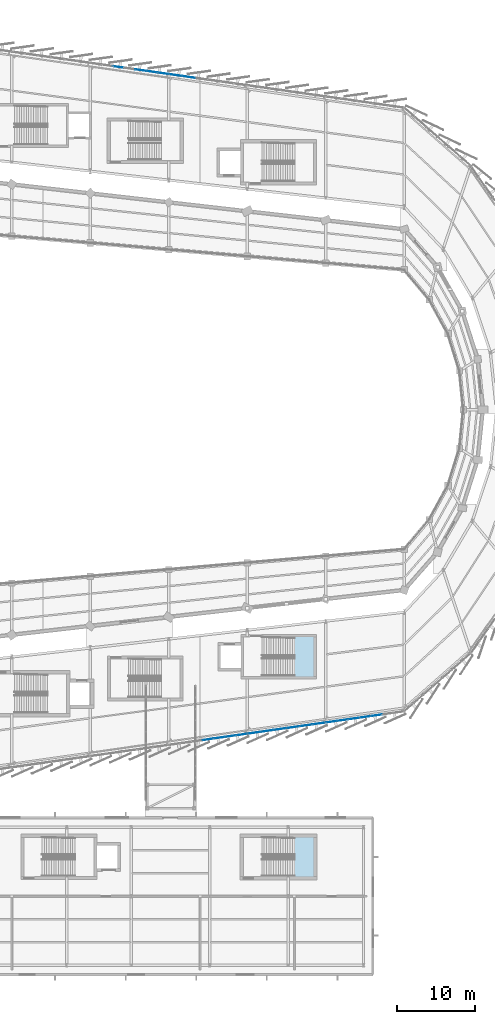
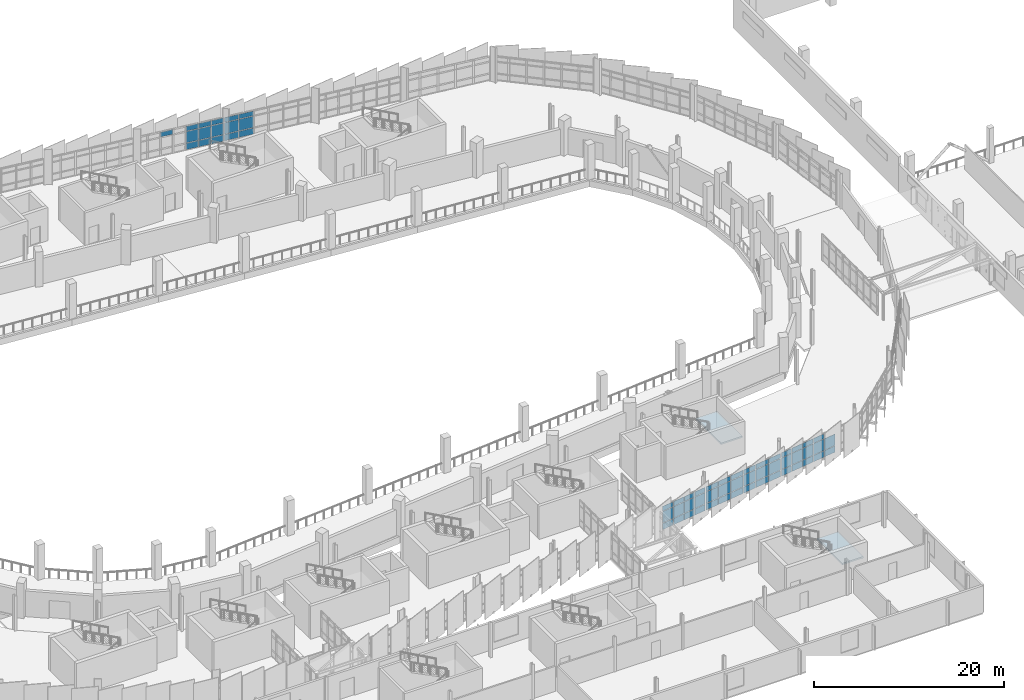
# One storey, part 92 of 125: 60 plates, 2 slabs, 7 elements without a shape of their own.
"""IFC4 building model written with IfcOpenShell, lengths in metres."""

from ifc_helpers import new_model, si_unit, direction, frame, origin, origin_2d, place, context, subcontext, project, spatial, polyline, rectangle, outline, extrude, material, layer, layer_set, type_object, element, aggregate, save


model = new_model("IFC4")

# Units and contexts
model_context = context("Model", 3, precision=1e-05, world=origin(), true_north=direction((0.0, 1.0)))
body_context = subcontext(model_context, "Body", "Model", "MODEL_VIEW")
ifc_project = project(units=[si_unit("LENGTHUNIT", "METRE"), si_unit("AREAUNIT", "SQUARE_METRE"), si_unit("VOLUMEUNIT", "CUBIC_METRE"), si_unit("PLANEANGLEUNIT", "RADIAN"), si_unit("MASSUNIT", "GRAM", prefix="KILO")], contexts=[model_context])

# Site, building, storey
site_placement = place(None, origin())
site = spatial("IfcSite", under=ifc_project, at=site_placement, CompositionType="ELEMENT")
building_placement = place(site_placement, origin())
building = spatial("IfcBuilding", under=site, at=building_placement, Name="Sohan Crest Arena", CompositionType="ELEMENT")
storey_placement = place(building_placement, frame((0.0, 0.0, 9.0)))
storey = spatial("IfcBuildingStorey", under=building, at=storey_placement, Name="L02", CompositionType="ELEMENT", Elevation=9.0)

# Curtain wall, plates
ifc_material_1 = material(Name="Thermally broken anodised aluminium", Category="aluminium")
ifc_layer_1 = layer(ifc_material_1, 0.18994140625, Name="Thermally broken anodised aluminium")
ifc_layer_set_1 = layer_set([ifc_layer_1], Name="Thermally broken anodised aluminium")
curtain_wall_type_1 = type_object("IfcCurtainWallType", Name="ARC-CW05", PredefinedType="NOTDEFINED", material=ifc_layer_set_1)
curtain_wall_1_placement = place(storey_placement, origin())
curtain_wall_1 = element("IfcCurtainWall", 1, at=curtain_wall_1_placement, inside=storey, type_object=curtain_wall_type_1, Name="Unitised curtain wall CW-064", PredefinedType="NOTDEFINED")
ifc_material_2 = material(Name="Low-E double-glazed insulated glass", Category="glass")
ifc_layer_2 = layer(ifc_material_2, 0.028076171875, Name="Low-E double-glazed insulated glass")
ifc_layer_set_2 = layer_set([ifc_layer_2], Name="Low-E double-glazed insulated glass")
plate_type_1 = type_object("IfcPlateType", Name="ARC-CNP01", PredefinedType="CURTAIN_PANEL", material=ifc_layer_set_2)
plate_1_placement = place(storey_placement, frame((143.0, 35.978515625, 0.06494140625), z_axis=(0.0, 0.0, 1.0), x_axis=(0.989943553128, 0.141462933734, 0.0)))
plate_1 = element("IfcPlate", 2, at=plate_1_placement, type_object=plate_type_1, Name="CW-064 panel 4.1", PredefinedType="CURTAIN_PANEL", context=body_context, shape_type="SweptSolid", body=[
    extrude(rectangle(XDim=1.383056640625, YDim=0.028076171875, at=origin_2d()), origin(), (0.0, 0.0, 1.0), 0.802490234375),
])
plate_2_placement = place(storey_placement, frame((143.0, 35.978515625, 0.932373046875), z_axis=(0.0, 0.0, 1.0), x_axis=(0.989943553128, 0.141462933734, 0.0)))
plate_2 = element("IfcPlate", 3, at=plate_2_placement, type_object=plate_type_1, Name="CW-064 panel 4.2", PredefinedType="CURTAIN_PANEL", context=body_context, shape_type="SweptSolid", body=[
    extrude(rectangle(XDim=1.383056640625, YDim=0.028076171875, at=origin_2d()), origin(), (0.0, 0.0, 1.0), 1.455078125),
])
plate_3_placement = place(storey_placement, frame((143.0, 35.978515625, 2.452392578125), z_axis=(0.0, 0.0, 1.0), x_axis=(0.989943553128, 0.141462933734, 0.0)))
plate_3 = element("IfcPlate", 4, at=plate_3_placement, type_object=plate_type_1, Name="CW-064 panel 4.3", PredefinedType="CURTAIN_PANEL", context=body_context, shape_type="SweptSolid", body=[
    extrude(rectangle(XDim=1.383056640625, YDim=0.028076171875, at=origin_2d()), origin(), (0.0, 0.0, 1.0), 0.6025390625),
])
plate_4_placement = place(storey_placement, frame((144.428466796875, 36.1826171875, 0.06494140625), z_axis=(0.0, 0.0, 1.0), x_axis=(0.989943553128, 0.141462933734, 0.0)))
plate_4 = element("IfcPlate", 5, at=plate_4_placement, type_object=plate_type_1, Name="CW-064 panel 5.1", PredefinedType="CURTAIN_PANEL", context=body_context, shape_type="SweptSolid", body=[
    extrude(rectangle(XDim=1.383056640625, YDim=0.028076171875, at=origin_2d()), origin(), (0.0, 0.0, 1.0), 0.802490234375),
])
plate_5_placement = place(storey_placement, frame((144.428466796875, 36.1826171875, 0.932373046875), z_axis=(0.0, 0.0, 1.0), x_axis=(0.989943553128, 0.141462933734, 0.0)))
plate_5 = element("IfcPlate", 6, at=plate_5_placement, type_object=plate_type_1, Name="CW-064 panel 5.2", PredefinedType="CURTAIN_PANEL", context=body_context, shape_type="SweptSolid", body=[
    extrude(rectangle(XDim=1.383056640625, YDim=0.028076171875, at=origin_2d()), origin(), (0.0, 0.0, 1.0), 1.455078125),
])
plate_6_placement = place(storey_placement, frame((144.428466796875, 36.1826171875, 2.452392578125), z_axis=(0.0, 0.0, 1.0), x_axis=(0.989943553128, 0.141462933734, 0.0)))
plate_6 = element("IfcPlate", 7, at=plate_6_placement, type_object=plate_type_1, Name="CW-064 panel 5.3", PredefinedType="CURTAIN_PANEL", context=body_context, shape_type="SweptSolid", body=[
    extrude(rectangle(XDim=1.383056640625, YDim=0.028076171875, at=origin_2d()), origin(), (0.0, 0.0, 1.0), 0.6025390625),
])
plate_7_placement = place(storey_placement, frame((145.857177734375, 36.38671875, 0.06494140625), z_axis=(0.0, 0.0, 1.0), x_axis=(0.989943553128, 0.141462933734, 0.0)))
plate_7 = element("IfcPlate", 8, at=plate_7_placement, type_object=plate_type_1, Name="CW-064 panel 6.1", PredefinedType="CURTAIN_PANEL", context=body_context, shape_type="SweptSolid", body=[
    extrude(rectangle(XDim=1.383056640625, YDim=0.028076171875, at=origin_2d()), origin(), (0.0, 0.0, 1.0), 0.802490234375),
])
plate_8_placement = place(storey_placement, frame((145.857177734375, 36.38671875, 0.932373046875), z_axis=(0.0, 0.0, 1.0), x_axis=(0.989943553128, 0.141462933734, 0.0)))
plate_8 = element("IfcPlate", 9, at=plate_8_placement, type_object=plate_type_1, Name="CW-064 panel 6.2", PredefinedType="CURTAIN_PANEL", context=body_context, shape_type="SweptSolid", body=[
    extrude(rectangle(XDim=1.383056640625, YDim=0.028076171875, at=origin_2d()), origin(), (0.0, 0.0, 1.0), 1.455078125),
])
plate_9_placement = place(storey_placement, frame((145.857177734375, 36.38671875, 2.452392578125), z_axis=(0.0, 0.0, 1.0), x_axis=(0.989943553128, 0.141462933734, 0.0)))
plate_9 = element("IfcPlate", 10, at=plate_9_placement, type_object=plate_type_1, Name="CW-064 panel 6.3", PredefinedType="CURTAIN_PANEL", context=body_context, shape_type="SweptSolid", body=[
    extrude(rectangle(XDim=1.383056640625, YDim=0.028076171875, at=origin_2d()), origin(), (0.0, 0.0, 1.0), 0.6025390625),
])
plate_10_placement = place(storey_placement, frame((147.270751953125, 36.5888671875, 0.06494140625), z_axis=(0.0, 0.0, 1.0), x_axis=(0.989943553128, 0.141462933734, 0.0)))
plate_10 = element("IfcPlate", 11, at=plate_10_placement, type_object=plate_type_1, Name="CW-064 panel 7.1", PredefinedType="CURTAIN_PANEL", context=body_context, shape_type="SweptSolid", body=[
    extrude(rectangle(XDim=1.35302734375, YDim=0.028076171875, at=origin_2d()), origin(), (0.0, 0.0, 1.0), 0.802490234375),
])
plate_11_placement = place(storey_placement, frame((147.270751953125, 36.5888671875, 0.932373046875), z_axis=(0.0, 0.0, 1.0), x_axis=(0.989943553128, 0.141462933734, 0.0)))
plate_11 = element("IfcPlate", 12, at=plate_11_placement, type_object=plate_type_1, Name="CW-064 panel 7.2", PredefinedType="CURTAIN_PANEL", context=body_context, shape_type="SweptSolid", body=[
    extrude(rectangle(XDim=1.35302734375, YDim=0.028076171875, at=origin_2d()), origin(), (0.0, 0.0, 1.0), 1.455078125),
])
plate_12_placement = place(storey_placement, frame((147.270751953125, 36.5888671875, 2.452392578125), z_axis=(0.0, 0.0, 1.0), x_axis=(0.989943553128, 0.141462933734, 0.0)))
plate_12 = element("IfcPlate", 13, at=plate_12_placement, type_object=plate_type_1, Name="CW-064 panel 7.3", PredefinedType="CURTAIN_PANEL", context=body_context, shape_type="SweptSolid", body=[
    extrude(rectangle(XDim=1.35302734375, YDim=0.028076171875, at=origin_2d()), origin(), (0.0, 0.0, 1.0), 0.6025390625),
])
aggregate(curtain_wall_1, [plate_1, plate_2, plate_3, plate_4, plate_5, plate_6, plate_7, plate_8, plate_9, plate_10, plate_11, plate_12])

ifc_layer_3 = layer(ifc_material_1, 0.2099609375, Name="Thermally broken anodised aluminium")
ifc_layer_set_3 = layer_set([ifc_layer_3], Name="Thermally broken anodised aluminium")
curtain_wall_type_2 = type_object("IfcCurtainWallType", Name="ARC-CW06", PredefinedType="NOTDEFINED", material=ifc_layer_set_3)
curtain_wall_2_placement = place(storey_placement, origin())
curtain_wall_2 = element("IfcCurtainWall", 14, at=curtain_wall_2_placement, inside=storey, type_object=curtain_wall_type_2, Name="Unitised curtain wall CW-065", PredefinedType="NOTDEFINED")
ifc_layer_4 = layer(ifc_material_2, 0.031982421875, Name="Low-E double-glazed insulated glass")
ifc_layer_set_4 = layer_set([ifc_layer_4], Name="Low-E double-glazed insulated glass")
plate_type_2 = type_object("IfcPlateType", Name="ARC-CNP02", PredefinedType="CURTAIN_PANEL", material=ifc_layer_set_4)
plate_13_placement = place(storey_placement, frame((148.849365234375, 36.814208984375, 0.070068359375), z_axis=(0.0, 0.0, 1.0), x_axis=(0.989957411768, 0.141365918403, 0.0)))
plate_13 = element("IfcPlate", 15, at=plate_13_placement, type_object=plate_type_2, Name="CW-065 panel 1.1", PredefinedType="CURTAIN_PANEL", context=body_context, shape_type="SweptSolid", body=[
    extrude(rectangle(XDim=1.586181640625, YDim=0.031982421875, at=origin_2d()), origin(), (0.0, 0.0, 1.0), 0.794921875),
])
plate_14_placement = place(storey_placement, frame((148.849365234375, 36.814208984375, 0.93505859375), z_axis=(0.0, 0.0, 1.0), x_axis=(0.989957411768, 0.141365918403, 0.0)))
plate_14 = element("IfcPlate", 16, at=plate_14_placement, type_object=plate_type_2, Name="CW-065 panel 1.2", PredefinedType="CURTAIN_PANEL", context=body_context, shape_type="SweptSolid", body=[
    extrude(rectangle(XDim=1.586181640625, YDim=0.031982421875, at=origin_2d()), origin(), (0.0, 0.0, 1.0), 1.449951171875),
])
plate_15_placement = place(storey_placement, frame((148.849365234375, 36.814208984375, 2.455078125), z_axis=(0.0, 0.0, 1.0), x_axis=(0.989957411768, 0.141365918403, 0.0)))
plate_15 = element("IfcPlate", 17, at=plate_15_placement, type_object=plate_type_2, Name="CW-065 panel 1.3", PredefinedType="CURTAIN_PANEL", context=body_context, shape_type="SweptSolid", body=[
    extrude(rectangle(XDim=1.586181640625, YDim=0.031982421875, at=origin_2d()), origin(), (0.0, 0.0, 1.0), 0.594970703125),
])
plate_16_placement = place(storey_placement, frame((150.5, 37.050048828125, 0.070068359375), z_axis=(0.0, 0.0, 1.0), x_axis=(0.989957411768, 0.141365918403, 0.0)))
plate_16 = element("IfcPlate", 18, at=plate_16_placement, type_object=plate_type_2, Name="CW-065 panel 2.1", PredefinedType="CURTAIN_PANEL", context=body_context, shape_type="SweptSolid", body=[
    extrude(rectangle(XDim=1.61865234375, YDim=0.031982421875, at=origin_2d()), origin(), (0.0, 0.0, 1.0), 0.794921875),
])
plate_17_placement = place(storey_placement, frame((150.5, 37.050048828125, 0.93505859375), z_axis=(0.0, 0.0, 1.0), x_axis=(0.989957411768, 0.141365918403, 0.0)))
plate_17 = element("IfcPlate", 19, at=plate_17_placement, type_object=plate_type_2, Name="CW-065 panel 2.2", PredefinedType="CURTAIN_PANEL", context=body_context, shape_type="SweptSolid", body=[
    extrude(rectangle(XDim=1.61865234375, YDim=0.031982421875, at=origin_2d()), origin(), (0.0, 0.0, 1.0), 1.449951171875),
])
plate_18_placement = place(storey_placement, frame((150.5, 37.050048828125, 2.455078125), z_axis=(0.0, 0.0, 1.0), x_axis=(0.989957411768, 0.141365918403, 0.0)))
plate_18 = element("IfcPlate", 20, at=plate_18_placement, type_object=plate_type_2, Name="CW-065 panel 2.3", PredefinedType="CURTAIN_PANEL", context=body_context, shape_type="SweptSolid", body=[
    extrude(rectangle(XDim=1.61865234375, YDim=0.031982421875, at=origin_2d()), origin(), (0.0, 0.0, 1.0), 0.594970703125),
])
plate_19_placement = place(storey_placement, frame((152.166748046875, 37.2880859375, 0.070068359375), z_axis=(0.0, 0.0, 1.0), x_axis=(0.989957411768, 0.141365918403, 0.0)))
plate_19 = element("IfcPlate", 21, at=plate_19_placement, type_object=plate_type_2, Name="CW-065 panel 3.1", PredefinedType="CURTAIN_PANEL", context=body_context, shape_type="SweptSolid", body=[
    extrude(rectangle(XDim=1.61865234375, YDim=0.031982421875, at=origin_2d()), origin(), (0.0, 0.0, 1.0), 0.794921875),
])
plate_20_placement = place(storey_placement, frame((152.166748046875, 37.2880859375, 0.93505859375), z_axis=(0.0, 0.0, 1.0), x_axis=(0.989957411768, 0.141365918403, 0.0)))
plate_20 = element("IfcPlate", 22, at=plate_20_placement, type_object=plate_type_2, Name="CW-065 panel 3.2", PredefinedType="CURTAIN_PANEL", context=body_context, shape_type="SweptSolid", body=[
    extrude(rectangle(XDim=1.61865234375, YDim=0.031982421875, at=origin_2d()), origin(), (0.0, 0.0, 1.0), 1.449951171875),
])
plate_21_placement = place(storey_placement, frame((152.166748046875, 37.2880859375, 2.455078125), z_axis=(0.0, 0.0, 1.0), x_axis=(0.989957411768, 0.141365918403, 0.0)))
plate_21 = element("IfcPlate", 23, at=plate_21_placement, type_object=plate_type_2, Name="CW-065 panel 3.3", PredefinedType="CURTAIN_PANEL", context=body_context, shape_type="SweptSolid", body=[
    extrude(rectangle(XDim=1.61865234375, YDim=0.031982421875, at=origin_2d()), origin(), (0.0, 0.0, 1.0), 0.594970703125),
])
plate_22_placement = place(storey_placement, frame((153.833251953125, 37.52587890625, 0.070068359375), z_axis=(0.0, 0.0, 1.0), x_axis=(0.989957411768, 0.141365918403, 0.0)))
plate_22 = element("IfcPlate", 24, at=plate_22_placement, type_object=plate_type_2, Name="CW-065 panel 4.1", PredefinedType="CURTAIN_PANEL", context=body_context, shape_type="SweptSolid", body=[
    extrude(rectangle(XDim=1.61865234375, YDim=0.031982421875, at=origin_2d()), origin(), (0.0, 0.0, 1.0), 0.794921875),
])
plate_23_placement = place(storey_placement, frame((153.833251953125, 37.52587890625, 0.93505859375), z_axis=(0.0, 0.0, 1.0), x_axis=(0.989957411768, 0.141365918403, 0.0)))
plate_23 = element("IfcPlate", 25, at=plate_23_placement, type_object=plate_type_2, Name="CW-065 panel 4.2", PredefinedType="CURTAIN_PANEL", context=body_context, shape_type="SweptSolid", body=[
    extrude(rectangle(XDim=1.61865234375, YDim=0.031982421875, at=origin_2d()), origin(), (0.0, 0.0, 1.0), 1.449951171875),
])
plate_24_placement = place(storey_placement, frame((153.833251953125, 37.52587890625, 2.455078125), z_axis=(0.0, 0.0, 1.0), x_axis=(0.989957411768, 0.141365918403, 0.0)))
plate_24 = element("IfcPlate", 26, at=plate_24_placement, type_object=plate_type_2, Name="CW-065 panel 4.3", PredefinedType="CURTAIN_PANEL", context=body_context, shape_type="SweptSolid", body=[
    extrude(rectangle(XDim=1.61865234375, YDim=0.031982421875, at=origin_2d()), origin(), (0.0, 0.0, 1.0), 0.594970703125),
])
plate_25_placement = place(storey_placement, frame((155.5, 37.763916015625, 0.070068359375), z_axis=(0.0, 0.0, 1.0), x_axis=(0.989957411768, 0.141365918403, 0.0)))
plate_25 = element("IfcPlate", 27, at=plate_25_placement, type_object=plate_type_2, Name="CW-065 panel 5.1", PredefinedType="CURTAIN_PANEL", context=body_context, shape_type="SweptSolid", body=[
    extrude(rectangle(XDim=1.61865234375, YDim=0.031982421875, at=origin_2d()), origin(), (0.0, 0.0, 1.0), 0.794921875),
])
plate_26_placement = place(storey_placement, frame((155.5, 37.763916015625, 0.93505859375), z_axis=(0.0, 0.0, 1.0), x_axis=(0.989957411768, 0.141365918403, 0.0)))
plate_26 = element("IfcPlate", 28, at=plate_26_placement, type_object=plate_type_2, Name="CW-065 panel 5.2", PredefinedType="CURTAIN_PANEL", context=body_context, shape_type="SweptSolid", body=[
    extrude(rectangle(XDim=1.61865234375, YDim=0.031982421875, at=origin_2d()), origin(), (0.0, 0.0, 1.0), 1.449951171875),
])
plate_27_placement = place(storey_placement, frame((155.5, 37.763916015625, 2.455078125), z_axis=(0.0, 0.0, 1.0), x_axis=(0.989957411768, 0.141365918403, 0.0)))
plate_27 = element("IfcPlate", 29, at=plate_27_placement, type_object=plate_type_2, Name="CW-065 panel 5.3", PredefinedType="CURTAIN_PANEL", context=body_context, shape_type="SweptSolid", body=[
    extrude(rectangle(XDim=1.61865234375, YDim=0.031982421875, at=origin_2d()), origin(), (0.0, 0.0, 1.0), 0.594970703125),
])
plate_28_placement = place(storey_placement, frame((157.150634765625, 37.999755859375, 0.070068359375), z_axis=(0.0, 0.0, 1.0), x_axis=(0.989957411768, 0.141365918403, 0.0)))
plate_28 = element("IfcPlate", 30, at=plate_28_placement, type_object=plate_type_2, Name="CW-065 panel 6.1", PredefinedType="CURTAIN_PANEL", context=body_context, shape_type="SweptSolid", body=[
    extrude(rectangle(XDim=1.586181640625, YDim=0.031982421875, at=origin_2d()), origin(), (0.0, 0.0, 1.0), 0.794921875),
])
plate_29_placement = place(storey_placement, frame((157.150634765625, 37.999755859375, 0.93505859375), z_axis=(0.0, 0.0, 1.0), x_axis=(0.989957411768, 0.141365918403, 0.0)))
plate_29 = element("IfcPlate", 31, at=plate_29_placement, type_object=plate_type_2, Name="CW-065 panel 6.2", PredefinedType="CURTAIN_PANEL", context=body_context, shape_type="SweptSolid", body=[
    extrude(rectangle(XDim=1.586181640625, YDim=0.031982421875, at=origin_2d()), origin(), (0.0, 0.0, 1.0), 1.449951171875),
])
plate_30_placement = place(storey_placement, frame((157.150634765625, 37.999755859375, 2.455078125), z_axis=(0.0, 0.0, 1.0), x_axis=(0.989957411768, 0.141365918403, 0.0)))
plate_30 = element("IfcPlate", 32, at=plate_30_placement, type_object=plate_type_2, Name="CW-065 panel 6.3", PredefinedType="CURTAIN_PANEL", context=body_context, shape_type="SweptSolid", body=[
    extrude(rectangle(XDim=1.586181640625, YDim=0.031982421875, at=origin_2d()), origin(), (0.0, 0.0, 1.0), 0.594970703125),
])
aggregate(curtain_wall_2, [plate_13, plate_14, plate_15, plate_16, plate_17, plate_18, plate_19, plate_20, plate_21, plate_22, plate_23, plate_24, plate_25, plate_26, plate_27, plate_28, plate_29, plate_30])

curtain_wall_3_placement = place(storey_placement, origin())
curtain_wall_3 = element("IfcCurtainWall", 33, at=curtain_wall_3_placement, inside=storey, type_object=curtain_wall_type_2, Name="Unitised curtain wall CW-075", PredefinedType="NOTDEFINED")
plate_31_placement = place(storey_placement, frame((140.5, 120.378662109375, 0.070068359375), z_axis=(0.0, 0.0, 1.0), x_axis=(-0.989943553128, 0.141462933734, 0.0)))
plate_31 = element("IfcPlate", 34, at=plate_31_placement, type_object=plate_type_2, Name="CW-075 panel 5.1", PredefinedType="CURTAIN_PANEL", context=body_context, shape_type="SweptSolid", body=[
    extrude(rectangle(XDim=1.61865234375, YDim=0.031982421875, at=origin_2d()), origin(), (0.0, 0.0, 1.0), 0.794921875),
])
plate_32_placement = place(storey_placement, frame((140.5, 120.378662109375, 0.93505859375), z_axis=(0.0, 0.0, 1.0), x_axis=(-0.989943553128, 0.141462933734, 0.0)))
plate_32 = element("IfcPlate", 35, at=plate_32_placement, type_object=plate_type_2, Name="CW-075 panel 5.2", PredefinedType="CURTAIN_PANEL", context=body_context, shape_type="SweptSolid", body=[
    extrude(rectangle(XDim=1.61865234375, YDim=0.031982421875, at=origin_2d()), origin(), (0.0, 0.0, 1.0), 1.449951171875),
])
plate_33_placement = place(storey_placement, frame((140.5, 120.378662109375, 2.455078125), z_axis=(0.0, 0.0, 1.0), x_axis=(-0.989943553128, 0.141462933734, 0.0)))
plate_33 = element("IfcPlate", 36, at=plate_33_placement, type_object=plate_type_2, Name="CW-075 panel 5.3", PredefinedType="CURTAIN_PANEL", context=body_context, shape_type="SweptSolid", body=[
    extrude(rectangle(XDim=1.61865234375, YDim=0.031982421875, at=origin_2d()), origin(), (0.0, 0.0, 1.0), 0.594970703125),
])
plate_34_placement = place(storey_placement, frame((138.849365234375, 120.614501953125, 0.070068359375), z_axis=(0.0, 0.0, 1.0), x_axis=(-0.989943553128, 0.141462933734, 0.0)))
plate_34 = element("IfcPlate", 37, at=plate_34_placement, type_object=plate_type_2, Name="CW-075 panel 6.1", PredefinedType="CURTAIN_PANEL", context=body_context, shape_type="SweptSolid", body=[
    extrude(rectangle(XDim=1.586181640625, YDim=0.031982421875, at=origin_2d()), origin(), (0.0, 0.0, 1.0), 0.794921875),
])
plate_35_placement = place(storey_placement, frame((138.849365234375, 120.614501953125, 0.93505859375), z_axis=(0.0, 0.0, 1.0), x_axis=(-0.989943553128, 0.141462933734, 0.0)))
plate_35 = element("IfcPlate", 38, at=plate_35_placement, type_object=plate_type_2, Name="CW-075 panel 6.2", PredefinedType="CURTAIN_PANEL", context=body_context, shape_type="SweptSolid", body=[
    extrude(rectangle(XDim=1.586181640625, YDim=0.031982421875, at=origin_2d()), origin(), (0.0, 0.0, 1.0), 1.449951171875),
])
plate_36_placement = place(storey_placement, frame((138.849365234375, 120.614501953125, 2.455078125), z_axis=(0.0, 0.0, 1.0), x_axis=(-0.989943553128, 0.141462933734, 0.0)))
plate_36 = element("IfcPlate", 39, at=plate_36_placement, type_object=plate_type_2, Name="CW-075 panel 6.3", PredefinedType="CURTAIN_PANEL", context=body_context, shape_type="SweptSolid", body=[
    extrude(rectangle(XDim=1.586181640625, YDim=0.031982421875, at=origin_2d()), origin(), (0.0, 0.0, 1.0), 0.594970703125),
])
aggregate(curtain_wall_3, [plate_31, plate_32, plate_33, plate_34, plate_35, plate_36])

ifc_layer_5 = layer(ifc_material_1, 0.179931640625, Name="Thermally broken anodised aluminium")
ifc_layer_set_5 = layer_set([ifc_layer_5], Name="Thermally broken anodised aluminium")
curtain_wall_type_3 = type_object("IfcCurtainWallType", Name="ARC-CW01", PredefinedType="NOTDEFINED", material=ifc_layer_set_5)
curtain_wall_4_placement = place(storey_placement, origin())
curtain_wall_4 = element("IfcCurtainWall", 40, at=curtain_wall_4_placement, inside=storey, type_object=curtain_wall_type_3, Name="Unitised curtain wall CW-066", PredefinedType="NOTDEFINED")
ifc_material_3 = material(Name="Ceramic-fritted solar-control insulated glass", Category="glass")
ifc_layer_6 = layer(ifc_material_3, 0.035888671875, Name="Ceramic-fritted solar-control insulated glass")
ifc_layer_set_6 = layer_set([ifc_layer_6], Name="Ceramic-fritted solar-control insulated glass")
plate_type_3 = type_object("IfcPlateType", Name="ARC-CNP03", PredefinedType="CURTAIN_PANEL", material=ifc_layer_set_6)
plate_37_placement = place(storey_placement, frame((158.731689453125, 38.2255859375, 0.06005859375), z_axis=(0.0, 0.0, 1.0), x_axis=(0.989943553128, 0.141462933734, 0.0)))
plate_37 = element("IfcPlate", 41, at=plate_37_placement, type_object=plate_type_3, Name="CW-066 panel 1.1", PredefinedType="CURTAIN_PANEL", context=body_context, shape_type="SweptSolid", body=[
    extrude(rectangle(XDim=1.338134765625, YDim=0.035888671875, at=origin_2d()), origin(), (0.0, 0.0, 1.0), 0.81005859375),
])
plate_38_placement = place(storey_placement, frame((158.731689453125, 38.2255859375, 0.929931640625), z_axis=(0.0, 0.0, 1.0), x_axis=(0.989943553128, 0.141462933734, 0.0)))
plate_38 = element("IfcPlate", 42, at=plate_38_placement, type_object=plate_type_3, Name="CW-066 panel 1.2", PredefinedType="CURTAIN_PANEL", context=body_context, shape_type="SweptSolid", body=[
    extrude(rectangle(XDim=1.338134765625, YDim=0.035888671875, at=origin_2d()), origin(), (0.0, 0.0, 1.0), 1.4599609375),
])
plate_39_placement = place(storey_placement, frame((158.731689453125, 38.2255859375, 2.44970703125), z_axis=(0.0, 0.0, 1.0), x_axis=(0.989943553128, 0.141462933734, 0.0)))
plate_39 = element("IfcPlate", 43, at=plate_39_placement, type_object=plate_type_3, Name="CW-066 panel 1.3", PredefinedType="CURTAIN_PANEL", context=body_context, shape_type="SweptSolid", body=[
    extrude(rectangle(XDim=1.338134765625, YDim=0.035888671875, at=origin_2d()), origin(), (0.0, 0.0, 1.0), 0.610107421875),
])
plate_40_placement = place(storey_placement, frame((160.142822265625, 38.42724609375, 0.06005859375), z_axis=(0.0, 0.0, 1.0), x_axis=(0.989943553128, 0.141462933734, 0.0)))
plate_40 = element("IfcPlate", 44, at=plate_40_placement, type_object=plate_type_3, Name="CW-066 panel 2.1", PredefinedType="CURTAIN_PANEL", context=body_context, shape_type="SweptSolid", body=[
    extrude(rectangle(XDim=1.373046875, YDim=0.035888671875, at=origin_2d()), origin(), (0.0, 0.0, 1.0), 0.81005859375),
])
plate_41_placement = place(storey_placement, frame((160.142822265625, 38.42724609375, 0.929931640625), z_axis=(0.0, 0.0, 1.0), x_axis=(0.989943553128, 0.141462933734, 0.0)))
plate_41 = element("IfcPlate", 45, at=plate_41_placement, type_object=plate_type_3, Name="CW-066 panel 2.2", PredefinedType="CURTAIN_PANEL", context=body_context, shape_type="SweptSolid", body=[
    extrude(rectangle(XDim=1.373046875, YDim=0.035888671875, at=origin_2d()), origin(), (0.0, 0.0, 1.0), 1.4599609375),
])
plate_42_placement = place(storey_placement, frame((160.142822265625, 38.42724609375, 2.44970703125), z_axis=(0.0, 0.0, 1.0), x_axis=(0.989943553128, 0.141462933734, 0.0)))
plate_42 = element("IfcPlate", 46, at=plate_42_placement, type_object=plate_type_3, Name="CW-066 panel 2.3", PredefinedType="CURTAIN_PANEL", context=body_context, shape_type="SweptSolid", body=[
    extrude(rectangle(XDim=1.373046875, YDim=0.035888671875, at=origin_2d()), origin(), (0.0, 0.0, 1.0), 0.610107421875),
])
plate_43_placement = place(storey_placement, frame((161.571533203125, 38.63134765625, 0.06005859375), z_axis=(0.0, 0.0, 1.0), x_axis=(0.989943553128, 0.141462933734, 0.0)))
plate_43 = element("IfcPlate", 47, at=plate_43_placement, type_object=plate_type_3, Name="CW-066 panel 3.1", PredefinedType="CURTAIN_PANEL", context=body_context, shape_type="SweptSolid", body=[
    extrude(rectangle(XDim=1.373046875, YDim=0.035888671875, at=origin_2d()), origin(), (0.0, 0.0, 1.0), 0.81005859375),
])
plate_44_placement = place(storey_placement, frame((161.571533203125, 38.63134765625, 0.929931640625), z_axis=(0.0, 0.0, 1.0), x_axis=(0.989943553128, 0.141462933734, 0.0)))
plate_44 = element("IfcPlate", 48, at=plate_44_placement, type_object=plate_type_3, Name="CW-066 panel 3.2", PredefinedType="CURTAIN_PANEL", context=body_context, shape_type="SweptSolid", body=[
    extrude(rectangle(XDim=1.373046875, YDim=0.035888671875, at=origin_2d()), origin(), (0.0, 0.0, 1.0), 1.4599609375),
])
plate_45_placement = place(storey_placement, frame((161.571533203125, 38.63134765625, 2.44970703125), z_axis=(0.0, 0.0, 1.0), x_axis=(0.989943553128, 0.141462933734, 0.0)))
plate_45 = element("IfcPlate", 49, at=plate_45_placement, type_object=plate_type_3, Name="CW-066 panel 3.3", PredefinedType="CURTAIN_PANEL", context=body_context, shape_type="SweptSolid", body=[
    extrude(rectangle(XDim=1.373046875, YDim=0.035888671875, at=origin_2d()), origin(), (0.0, 0.0, 1.0), 0.610107421875),
])
plate_46_placement = place(storey_placement, frame((163.0, 38.83544921875, 0.06005859375), z_axis=(0.0, 0.0, 1.0), x_axis=(0.989943553128, 0.141462933734, 0.0)))
plate_46 = element("IfcPlate", 50, at=plate_46_placement, type_object=plate_type_3, Name="CW-066 panel 4.1", PredefinedType="CURTAIN_PANEL", context=body_context, shape_type="SweptSolid", body=[
    extrude(rectangle(XDim=1.373046875, YDim=0.035888671875, at=origin_2d()), origin(), (0.0, 0.0, 1.0), 0.81005859375),
])
plate_47_placement = place(storey_placement, frame((163.0, 38.83544921875, 0.929931640625), z_axis=(0.0, 0.0, 1.0), x_axis=(0.989943553128, 0.141462933734, 0.0)))
plate_47 = element("IfcPlate", 51, at=plate_47_placement, type_object=plate_type_3, Name="CW-066 panel 4.2", PredefinedType="CURTAIN_PANEL", context=body_context, shape_type="SweptSolid", body=[
    extrude(rectangle(XDim=1.373046875, YDim=0.035888671875, at=origin_2d()), origin(), (0.0, 0.0, 1.0), 1.4599609375),
])
plate_48_placement = place(storey_placement, frame((163.0, 38.83544921875, 2.44970703125), z_axis=(0.0, 0.0, 1.0), x_axis=(0.989943553128, 0.141462933734, 0.0)))
plate_48 = element("IfcPlate", 52, at=plate_48_placement, type_object=plate_type_3, Name="CW-066 panel 4.3", PredefinedType="CURTAIN_PANEL", context=body_context, shape_type="SweptSolid", body=[
    extrude(rectangle(XDim=1.373046875, YDim=0.035888671875, at=origin_2d()), origin(), (0.0, 0.0, 1.0), 0.610107421875),
])
plate_49_placement = place(storey_placement, frame((164.428466796875, 39.03955078125, 0.06005859375), z_axis=(0.0, 0.0, 1.0), x_axis=(0.989943553128, 0.141462933734, 0.0)))
plate_49 = element("IfcPlate", 53, at=plate_49_placement, type_object=plate_type_3, Name="CW-066 panel 5.1", PredefinedType="CURTAIN_PANEL", context=body_context, shape_type="SweptSolid", body=[
    extrude(rectangle(XDim=1.373046875, YDim=0.035888671875, at=origin_2d()), origin(), (0.0, 0.0, 1.0), 0.81005859375),
])
plate_50_placement = place(storey_placement, frame((164.428466796875, 39.03955078125, 0.929931640625), z_axis=(0.0, 0.0, 1.0), x_axis=(0.989943553128, 0.141462933734, 0.0)))
plate_50 = element("IfcPlate", 54, at=plate_50_placement, type_object=plate_type_3, Name="CW-066 panel 5.2", PredefinedType="CURTAIN_PANEL", context=body_context, shape_type="SweptSolid", body=[
    extrude(rectangle(XDim=1.373046875, YDim=0.035888671875, at=origin_2d()), origin(), (0.0, 0.0, 1.0), 1.4599609375),
])
aggregate(curtain_wall_4, [plate_37, plate_38, plate_39, plate_40, plate_41, plate_42, plate_43, plate_44, plate_45, plate_46, plate_47, plate_48, plate_49, plate_50])

curtain_wall_5_placement = place(storey_placement, origin())
curtain_wall_5 = element("IfcCurtainWall", 55, at=curtain_wall_5_placement, inside=storey, type_object=curtain_wall_type_3, Name="Unitised curtain wall CW-076", PredefinedType="NOTDEFINED")
plate_51_placement = place(storey_placement, frame((137.268310546875, 120.840576171875, 0.06005859375), z_axis=(0.0, 0.0, 1.0), x_axis=(-0.989957411768, 0.141365918403, 0.0)))
plate_51 = element("IfcPlate", 56, at=plate_51_placement, type_object=plate_type_3, Name="CW-076 panel 1.1", PredefinedType="CURTAIN_PANEL", context=body_context, shape_type="SweptSolid", body=[
    extrude(rectangle(XDim=1.338134765625, YDim=0.035888671875, at=origin_2d()), origin(), (0.0, 0.0, 1.0), 0.81005859375),
])
plate_52_placement = place(storey_placement, frame((137.268310546875, 120.840576171875, 0.929931640625), z_axis=(0.0, 0.0, 1.0), x_axis=(-0.989957411768, 0.141365918403, 0.0)))
plate_52 = element("IfcPlate", 57, at=plate_52_placement, type_object=plate_type_3, Name="CW-076 panel 1.2", PredefinedType="CURTAIN_PANEL", context=body_context, shape_type="SweptSolid", body=[
    extrude(rectangle(XDim=1.338134765625, YDim=0.035888671875, at=origin_2d()), origin(), (0.0, 0.0, 1.0), 1.4599609375),
])
plate_53_placement = place(storey_placement, frame((137.268310546875, 120.840576171875, 2.44970703125), z_axis=(0.0, 0.0, 1.0), x_axis=(-0.989957411768, 0.141365918403, 0.0)))
plate_53 = element("IfcPlate", 58, at=plate_53_placement, type_object=plate_type_3, Name="CW-076 panel 1.3", PredefinedType="CURTAIN_PANEL", context=body_context, shape_type="SweptSolid", body=[
    extrude(rectangle(XDim=1.338134765625, YDim=0.035888671875, at=origin_2d()), origin(), (0.0, 0.0, 1.0), 0.610107421875),
])
plate_54_placement = place(storey_placement, frame((135.857177734375, 121.0419921875, 0.06005859375), z_axis=(0.0, 0.0, 1.0), x_axis=(-0.989957411768, 0.141365918403, 0.0)))
plate_54 = element("IfcPlate", 59, at=plate_54_placement, type_object=plate_type_3, Name="CW-076 panel 2.1", PredefinedType="CURTAIN_PANEL", context=body_context, shape_type="SweptSolid", body=[
    extrude(rectangle(XDim=1.373046875, YDim=0.035888671875, at=origin_2d()), origin(), (0.0, 0.0, 1.0), 0.81005859375),
])
plate_55_placement = place(storey_placement, frame((135.857177734375, 121.0419921875, 0.929931640625), z_axis=(0.0, 0.0, 1.0), x_axis=(-0.989957411768, 0.141365918403, 0.0)))
plate_55 = element("IfcPlate", 60, at=plate_55_placement, type_object=plate_type_3, Name="CW-076 panel 2.2", PredefinedType="CURTAIN_PANEL", context=body_context, shape_type="SweptSolid", body=[
    extrude(rectangle(XDim=1.373046875, YDim=0.035888671875, at=origin_2d()), origin(), (0.0, 0.0, 1.0), 1.4599609375),
])
plate_56_placement = place(storey_placement, frame((135.857177734375, 121.0419921875, 2.44970703125), z_axis=(0.0, 0.0, 1.0), x_axis=(-0.989957411768, 0.141365918403, 0.0)))
plate_56 = element("IfcPlate", 61, at=plate_56_placement, type_object=plate_type_3, Name="CW-076 panel 2.3", PredefinedType="CURTAIN_PANEL", context=body_context, shape_type="SweptSolid", body=[
    extrude(rectangle(XDim=1.373046875, YDim=0.035888671875, at=origin_2d()), origin(), (0.0, 0.0, 1.0), 0.610107421875),
])
plate_57_placement = place(storey_placement, frame((134.428466796875, 121.24609375, 0.06005859375), z_axis=(0.0, 0.0, 1.0), x_axis=(-0.989957411768, 0.141365918403, 0.0)))
plate_57 = element("IfcPlate", 62, at=plate_57_placement, type_object=plate_type_3, Name="CW-076 panel 3.1", PredefinedType="CURTAIN_PANEL", context=body_context, shape_type="SweptSolid", body=[
    extrude(rectangle(XDim=1.373046875, YDim=0.035888671875, at=origin_2d()), origin(), (0.0, 0.0, 1.0), 0.81005859375),
])
plate_58_placement = place(storey_placement, frame((134.428466796875, 121.24609375, 0.929931640625), z_axis=(0.0, 0.0, 1.0), x_axis=(-0.989957411768, 0.141365918403, 0.0)))
plate_58 = element("IfcPlate", 63, at=plate_58_placement, type_object=plate_type_3, Name="CW-076 panel 3.2", PredefinedType="CURTAIN_PANEL", context=body_context, shape_type="SweptSolid", body=[
    extrude(rectangle(XDim=1.373046875, YDim=0.035888671875, at=origin_2d()), origin(), (0.0, 0.0, 1.0), 1.4599609375),
])
plate_59_placement = place(storey_placement, frame((134.428466796875, 121.24609375, 2.44970703125), z_axis=(0.0, 0.0, 1.0), x_axis=(-0.989957411768, 0.141365918403, 0.0)))
plate_59 = element("IfcPlate", 64, at=plate_59_placement, type_object=plate_type_3, Name="CW-076 panel 3.3", PredefinedType="CURTAIN_PANEL", context=body_context, shape_type="SweptSolid", body=[
    extrude(rectangle(XDim=1.373046875, YDim=0.035888671875, at=origin_2d()), origin(), (0.0, 0.0, 1.0), 0.610107421875),
])
plate_60_placement = place(storey_placement, frame((131.571533203125, 121.654052734375, 2.44970703125), z_axis=(0.0, 0.0, 1.0), x_axis=(-0.989957411768, 0.141365918403, 0.0)))
plate_60 = element("IfcPlate", 65, at=plate_60_placement, type_object=plate_type_3, Name="CW-076 panel 5.3", PredefinedType="CURTAIN_PANEL", context=body_context, shape_type="SweptSolid", body=[
    extrude(rectangle(XDim=1.373046875, YDim=0.035888671875, at=origin_2d()), origin(), (0.0, 0.0, 1.0), 0.610107421875),
])
aggregate(curtain_wall_5, [plate_51, plate_52, plate_53, plate_54, plate_55, plate_56, plate_57, plate_58, plate_59, plate_60])

# Stair, slab
ifc_material_4 = material(Name="Concrete C40/50", Category="concrete")
stair_type_1 = type_object("IfcStairType", Name="ST-450", PredefinedType="TWO_STRAIGHT_RUN_STAIR", material=ifc_material_4)
stair_1_placement = place(storey_placement, origin())
stair_1 = element("IfcStair", 66, at=stair_1_placement, inside=storey, type_object=stair_type_1, Name="Protected exit stair ST09-L02", PredefinedType="TWO_STRAIGHT_RUN_STAIR")
ifc_layer_7 = layer(ifc_material_4, 0.199951171875, Name="Concrete C40/50")
ifc_layer_set_7 = layer_set([ifc_layer_7], Name="Concrete C40/50")
slab_type = type_object("IfcSlabType", Name="SL-LND1", PredefinedType="LANDING", material=ifc_layer_set_7)
slab_1_placement = place(storey_placement, frame((0.0, 0.0, 2.050048828125)))
slab_1 = element("IfcSlab", 67, at=slab_1_placement, type_object=slab_type, Name="ST09-L02 landing 1", PredefinedType="LANDING", context=body_context, shape_type="SweptSolid", body=[
    extrude(outline(polyline([(154.030029296875, 43.85009765625), (156.60009765625, 43.85009765625), (156.60009765625, 49.14990234375), (154.030029296875, 49.14990234375), (154.030029296875, 43.85009765625)])), origin(), (0.0, 0.0, 1.0), 0.199951171875),
])
aggregate(stair_1, [slab_1])

stair_type_2 = type_object("IfcStairType", Name="ST-450W", PredefinedType="TWO_STRAIGHT_RUN_STAIR", material=ifc_material_4)
stair_2_placement = place(storey_placement, origin())
stair_2 = element("IfcStair", 68, at=stair_2_placement, inside=storey, type_object=stair_type_2, Name="Protected exit stair ST11-L02", PredefinedType="TWO_STRAIGHT_RUN_STAIR")
slab_2_placement = place(storey_placement, frame((0.0, 0.0, 2.050048828125)))
slab_2 = element("IfcSlab", 69, at=slab_2_placement, type_object=slab_type, Name="ST11-L02 landing 1", PredefinedType="LANDING", context=body_context, shape_type="SweptSolid", body=[
    extrude(outline(polyline([(154.030029296875, 18.35009765625), (156.60009765625, 18.35009765625), (156.60009765625, 23.64990234375), (154.030029296875, 23.64990234375), (154.030029296875, 18.35009765625)])), origin(), (0.0, 0.0, 1.0), 0.199951171875),
])
aggregate(stair_2, [slab_2])

save(model, "model.ifc")
